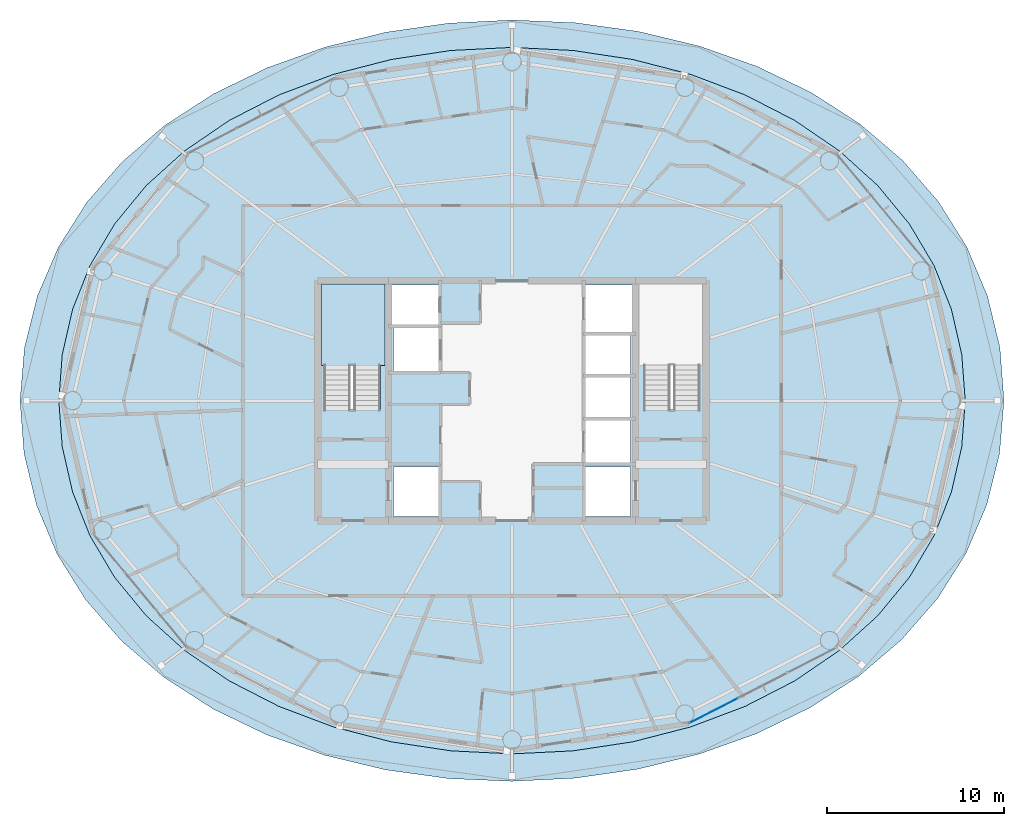
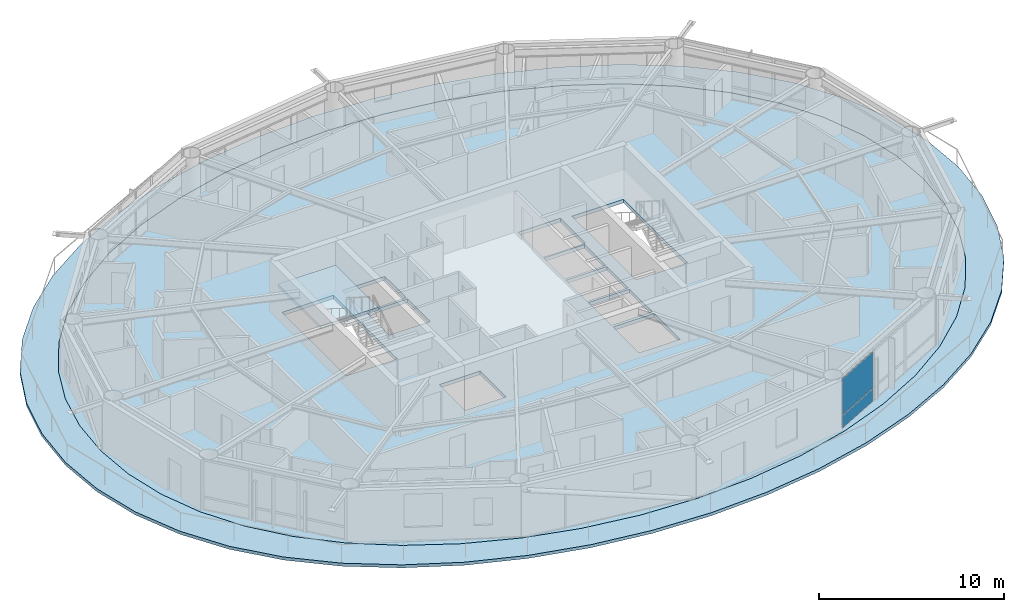
# One storey, part 13 of 23: 3 slabs, 2 plates, 2 elements without a shape of their own.
"""IFC4 building model written with IfcOpenShell, lengths in metres."""

from ifc_helpers import new_model, si_unit, direction, frame, origin, origin_2d, place, context, subcontext, project, spatial, polyline, rectangle, outline, extrude, material, layer, layer_set, type_object, element, aggregate, save


model = new_model("IFC4")

# Units and contexts
model_context = context("Model", 3, precision=1e-05, world=origin(), true_north=direction((0.0, 1.0)))
body_context = subcontext(model_context, "Body", "Model", "MODEL_VIEW")
ifc_project = project(units=[si_unit("LENGTHUNIT", "METRE"), si_unit("AREAUNIT", "SQUARE_METRE"), si_unit("VOLUMEUNIT", "CUBIC_METRE"), si_unit("PLANEANGLEUNIT", "RADIAN"), si_unit("MASSUNIT", "GRAM", prefix="KILO")], contexts=[model_context])

# Site, building, storey
site_placement = place(None, origin())
site = spatial("IfcSite", under=ifc_project, at=site_placement, CompositionType="ELEMENT")
building_placement = place(site_placement, origin())
building = spatial("IfcBuilding", under=site, at=building_placement, Name="Sarneth Arch Tower", CompositionType="ELEMENT")
storey_placement = place(building_placement, frame((0.0, 0.0, 238.800048828125)))
storey = spatial("IfcBuildingStorey", under=building, at=storey_placement, Name="L61", CompositionType="ELEMENT", Elevation=238.800048828125)

# Curtain wall, plates
ifc_material_1 = material(Name="Anodised aluminium Type AA25 and solar-control low-e laminated IGU", Category="aluminium")
ifc_layer_1 = layer(ifc_material_1, 0.179931640625)
ifc_layer_set_1 = layer_set([ifc_layer_1], Name="Anodised aluminium Type AA25 and solar-control low-e laminated IGU")
curtain_wall_type = type_object("IfcCurtainWallType", Name="CW-RES-HIGH", PredefinedType="NOTDEFINED", material=ifc_layer_set_1)
curtain_wall_placement = place(storey_placement, origin())
curtain_wall = element("IfcCurtainWall", 1, at=curtain_wall_placement, inside=storey, type_object=curtain_wall_type, Name="L61 Unitised curtain wall facet 14", PredefinedType="NOTDEFINED")
ifc_material_2 = material(Name="Solar-control low-e laminated IGU", Category="glass")
ifc_layer_2 = layer(ifc_material_2, 0.028076171875)
ifc_layer_set_2 = layer_set([ifc_layer_2], Name="Solar-control low-e laminated IGU")
plate_type = type_object("IfcPlateType", Name="CW-PANEL", PredefinedType="CURTAIN_PANEL", material=ifc_layer_set_2)
plate_1_placement = place(storey_placement, frame((59.4208984375, 24.447021484375, 0.059814453125), z_axis=(0.0, 0.0, 1.0), x_axis=(0.890009540525, 0.455941901753, 0.0)))
plate_1 = element("IfcPlate", 2, at=plate_1_placement, type_object=plate_type, Name="Curtain wall glazed vision pane CW-L61-F14/P00-00", PredefinedType="CURTAIN_PANEL", context=body_context, shape_type="SweptSolid", body=[
    extrude(rectangle(XDim=3.044677734375, YDim=0.028076171875, at=origin_2d()), origin(), (0.0, 0.0, 1.0), 0.81005859375),
])
plate_2_placement = place(storey_placement, frame((59.4208984375, 24.447021484375, 0.929931640625), z_axis=(0.0, 0.0, 1.0), x_axis=(0.890009540525, 0.455941901753, 0.0)))
plate_2 = element("IfcPlate", 3, at=plate_2_placement, type_object=plate_type, Name="Curtain wall glazed vision pane CW-L61-F14/P00-01", PredefinedType="CURTAIN_PANEL", context=body_context, shape_type="SweptSolid", body=[
    extrude(rectangle(XDim=3.044677734375, YDim=0.028076171875, at=origin_2d()), origin(), (0.0, 0.0, 1.0), 2.3701171875),
])
aggregate(curtain_wall, [plate_1, plate_2])

# Slab
ifc_material_3 = material(Name="Concrete C50/60", Category="concrete")
ifc_layer_3 = layer(ifc_material_3, 0.199951171875)
ifc_layer_set_3 = layer_set([ifc_layer_3], Name="Concrete C50/60")
slab_type_1 = type_object("IfcSlabType", Name="SLAB-BALC-200", PredefinedType="FLOOR", material=ifc_layer_set_3)
slab_1_placement = place(storey_placement, frame((0.0, 0.0, -0.199951171875)))
element("IfcSlab", 4, at=slab_1_placement, inside=storey, type_object=slab_type_1, Name="L61 Helical balcony band slab", PredefinedType="FLOOR", context=body_context, shape_type="SweptSolid", body=[
    extrude(outline(polyline([(75.857666015625, 42.0), (75.62939453125, 44.996826171875), (74.9248046875, 47.918212890625), (73.7568359375, 50.694091796875), (72.143798828125, 53.2705078125), (70.11083984375, 55.607666015625), (67.69140625, 57.6767578125), (64.92919921875, 59.455322265625), (61.87841796875, 60.92724609375), (58.599365234375, 62.080078125), (55.154052734375, 62.905029296875), (51.602294921875, 63.39697265625), (48.0, 63.55322265625), (44.400146484375, 63.373779296875), (40.85498046875, 62.86083984375), (37.419921875, 62.01904296875), (34.15283203125, 60.85546875), (31.114501953125, 59.379638671875), (28.363037109375, 57.604248046875), (25.9501953125, 55.545166015625), (23.918212890625, 53.222412109375), (22.299072265625, 50.662841796875), (21.11767578125, 47.90283203125), (20.393798828125, 44.992919921875), (20.142333984375, 42.0), (20.37060546875, 39.003173828125), (21.0751953125, 36.081787109375), (22.2431640625, 33.305908203125), (23.856201171875, 30.7294921875), (25.88916015625, 28.392333984375), (28.30859375, 26.3232421875), (31.07080078125, 24.544677734375), (34.12158203125, 23.07275390625), (37.400634765625, 21.919921875), (40.845947265625, 21.094970703125), (44.397705078125, 20.60302734375), (48.0, 20.44677734375), (51.599853515625, 20.626220703125), (55.14501953125, 21.13916015625), (58.580078125, 21.98095703125), (61.84716796875, 23.14453125), (64.885498046875, 24.620361328125), (67.636962890625, 26.395751953125), (70.0498046875, 28.454833984375), (72.081787109375, 30.777587890625), (73.700927734375, 33.337158203125), (74.88232421875, 36.09716796875), (75.606201171875, 39.007080078125), (75.857666015625, 42.0)]), holes=[polyline([(73.660888671875, 42.0), (73.466064453125, 44.610595703125), (72.87890625, 47.17626953125), (71.892822265625, 49.653564453125), (70.5029296875, 52.0), (68.712158203125, 54.17529296875), (66.536865234375, 56.14208984375), (64.009521484375, 57.8671875), (61.177001953125, 59.320556640625), (58.0966796875, 60.4775390625), (54.83203125, 61.318603515625), (51.44580078125, 61.828857421875), (48.0, 62.0), (44.55419921875, 61.828857421875), (41.16796875, 61.318603515625), (37.9033203125, 60.4775390625), (34.822998046875, 59.320556640625), (31.990478515625, 57.8671875), (29.463134765625, 56.14208984375), (27.287841796875, 54.17529296875), (25.4970703125, 52.0), (24.107177734375, 49.653564453125), (23.12109375, 47.17626953125), (22.533935546875, 44.610595703125), (22.339111328125, 42.0), (22.533935546875, 39.389404296875), (23.12109375, 36.82373046875), (24.107177734375, 34.346435546875), (25.4970703125, 32.0), (27.287841796875, 29.82470703125), (29.463134765625, 27.85791015625), (31.990478515625, 26.1328125), (34.822998046875, 24.679443359375), (37.9033203125, 23.5224609375), (41.16796875, 22.681396484375), (44.55419921875, 22.171142578125), (48.0, 22.0), (51.44580078125, 22.171142578125), (54.83203125, 22.681396484375), (58.0966796875, 23.5224609375), (61.177001953125, 24.679443359375), (64.009521484375, 26.1328125), (66.536865234375, 27.85791015625), (68.712158203125, 29.82470703125), (70.5029296875, 32.0), (71.892822265625, 34.346435546875), (72.87890625, 36.82373046875), (73.466064453125, 39.389404296875), (73.660888671875, 42.0)])]), origin(), (0.0, 0.0, 1.0), 0.199951171875),
])

# Stair, slab
ifc_material_4 = material(Name="Concrete C50/60", Category="concrete")
stair_type = type_object("IfcStairType", Name="STAIR-CORE-RC", PredefinedType="HALF_TURN_STAIR", material=ifc_material_4)
stair_placement = place(storey_placement, origin())
stair = element("IfcStair", 5, at=stair_placement, inside=storey, type_object=stair_type, Name="L61 Core Exit Stair 1", PredefinedType="HALF_TURN_STAIR")
ifc_material_5 = material(Name="Concrete C50/60", Category="concrete")
ifc_layer_4 = layer(ifc_material_5, 0.199951171875)
ifc_layer_set_4 = layer_set([ifc_layer_4], Name="Concrete C50/60")
slab_type_2 = type_object("IfcSlabType", Name="SLAB-LANDING-200", PredefinedType="LANDING", material=ifc_layer_set_4)
slab_2_placement = place(storey_placement, frame((0.0, 0.0, 1.599853515625)))
slab_2 = element("IfcSlab", 6, at=slab_2_placement, type_object=slab_type_2, Name="ST-1 landing 1", PredefinedType="LANDING", context=body_context, shape_type="SweptSolid", body=[
    extrude(outline(polyline([(37.199951171875, 43.985107421875), (40.800048828125, 43.985107421875), (40.800048828125, 48.60009765625), (37.199951171875, 48.60009765625), (37.199951171875, 43.985107421875)])), origin(), (0.0, 0.0, 1.0), 0.2001953125),
])
aggregate(stair, [slab_2])

# Slab
ifc_material_6 = material(Name="Concrete C50/60", Category="concrete")
ifc_layer_5 = layer(ifc_material_6, 0.239990234375)
ifc_layer_set_5 = layer_set([ifc_layer_5], Name="Concrete C50/60")
slab_type_3 = type_object("IfcSlabType", Name="SLAB-TOWER-240", PredefinedType="FLOOR", material=ifc_layer_set_5)
slab_3_placement = place(storey_placement, frame((0.0, 0.0, -0.239990234375)))
element("IfcSlab", 7, at=slab_3_placement, inside=storey, type_object=slab_type_3, Name="L61 Elliptical floor slab", PredefinedType="FLOOR", context=body_context, shape_type="SweptSolid", body=[
    extrude(outline(polyline([(73.660888671875, 42.0), (73.466064453125, 44.610595703125), (72.87890625, 47.17626953125), (71.892822265625, 49.653564453125), (70.5029296875, 52.0), (68.712158203125, 54.17529296875), (66.536865234375, 56.14208984375), (64.009521484375, 57.8671875), (61.177001953125, 59.320556640625), (58.0966796875, 60.4775390625), (54.83203125, 61.318603515625), (51.44580078125, 61.828857421875), (48.0, 62.0), (44.55419921875, 61.828857421875), (41.16796875, 61.318603515625), (37.9033203125, 60.4775390625), (34.822998046875, 59.320556640625), (31.990478515625, 57.8671875), (29.463134765625, 56.14208984375), (27.287841796875, 54.17529296875), (25.4970703125, 52.0), (24.107177734375, 49.653564453125), (23.12109375, 47.17626953125), (22.533935546875, 44.610595703125), (22.339111328125, 42.0), (22.533935546875, 39.389404296875), (23.12109375, 36.82373046875), (24.107177734375, 34.346435546875), (25.4970703125, 32.0), (27.287841796875, 29.82470703125), (29.463134765625, 27.85791015625), (31.990478515625, 26.1328125), (34.822998046875, 24.679443359375), (37.9033203125, 23.5224609375), (41.16796875, 22.681396484375), (44.55419921875, 22.171142578125), (48.0, 22.0), (51.44580078125, 22.171142578125), (54.83203125, 22.681396484375), (58.0966796875, 23.5224609375), (61.177001953125, 24.679443359375), (64.009521484375, 26.1328125), (66.536865234375, 27.85791015625), (68.712158203125, 29.82470703125), (70.5029296875, 32.0), (71.892822265625, 34.346435546875), (72.87890625, 36.82373046875), (73.466064453125, 39.389404296875), (73.660888671875, 42.0)]), holes=[polyline([(37.35009765625, 41.489990234375), (40.550048828125, 41.489990234375), (40.550048828125, 48.39990234375), (37.35009765625, 48.39990234375), (37.35009765625, 41.489990234375)]), polyline([(55.449951171875, 41.489990234375), (58.64990234375, 41.489990234375), (58.64990234375, 48.39990234375), (55.449951171875, 48.39990234375), (55.449951171875, 41.489990234375)]), polyline([(41.199951171875, 46.25), (43.85009765625, 46.25), (43.85009765625, 48.550048828125), (41.199951171875, 48.550048828125), (41.199951171875, 46.25)]), polyline([(41.300048828125, 35.449951171875), (43.85009765625, 35.449951171875), (43.85009765625, 38.25), (41.300048828125, 38.25), (41.300048828125, 35.449951171875)]), polyline([(52.14990234375, 35.449951171875), (54.699951171875, 35.449951171875), (54.699951171875, 38.25), (52.14990234375, 38.25), (52.14990234375, 35.449951171875)]), polyline([(52.14990234375, 45.85009765625), (54.800048828125, 45.85009765625), (54.800048828125, 48.550048828125), (52.14990234375, 48.550048828125), (52.14990234375, 45.85009765625)]), polyline([(41.300048828125, 43.64990234375), (43.85009765625, 43.64990234375), (43.85009765625, 46.10009765625), (41.300048828125, 46.10009765625), (41.300048828125, 43.64990234375)]), polyline([(52.14990234375, 38.449951171875), (54.699951171875, 38.449951171875), (54.699951171875, 40.89990234375), (52.14990234375, 40.89990234375), (52.14990234375, 38.449951171875)]), polyline([(52.14990234375, 41.050048828125), (54.699951171875, 41.050048828125), (54.699951171875, 43.35009765625), (52.14990234375, 43.35009765625), (52.14990234375, 41.050048828125)]), polyline([(52.14990234375, 43.5), (54.699951171875, 43.5), (54.699951171875, 45.75), (52.14990234375, 45.75), (52.14990234375, 43.5)])]), origin(), (0.0, 0.0, 1.0), 0.239990234375),
])

save(model, "model.ifc")
